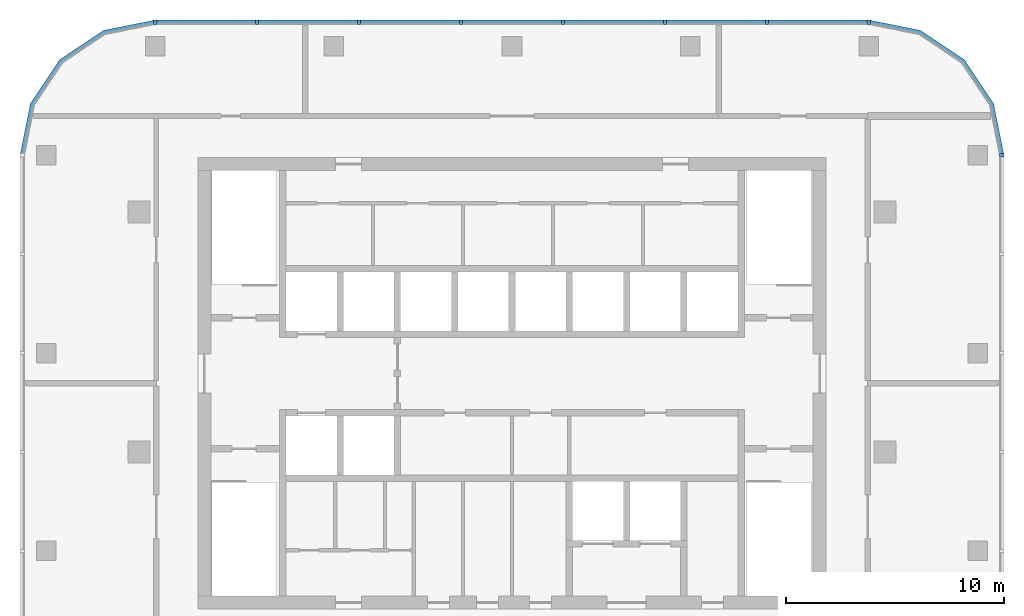
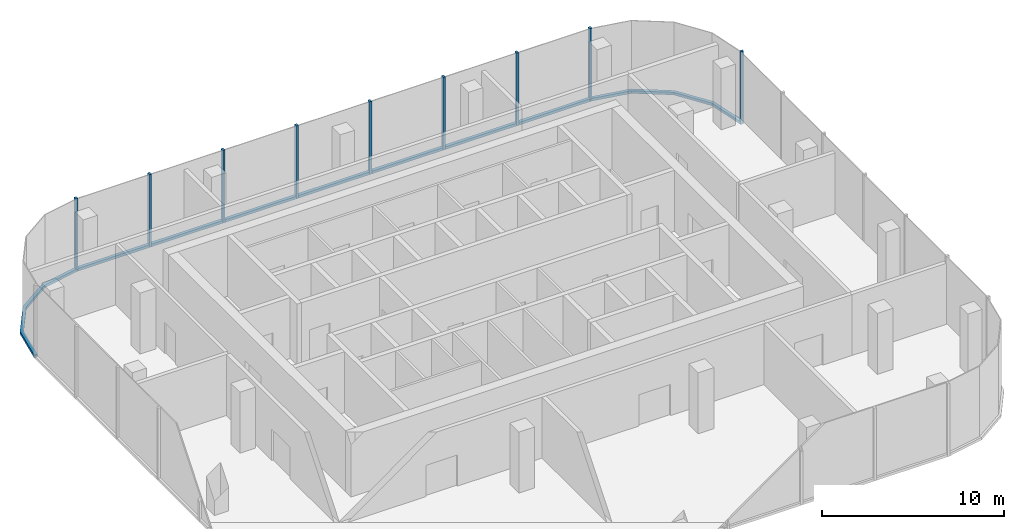
# One storey, part 2 of 6: 18 members, 4 elements without a shape of their own.
"""IFC4 building model written with IfcOpenShell, lengths in metres."""

from ifc_helpers import new_model, si_unit, direction, frame, origin, origin_2d, place, context, subcontext, project, spatial, polyline, rectangle, outline, extrude, material, material_profile, profile_set, type_object, element, aggregate, save


model = new_model("IFC4")

# Units and contexts
model_context = context("Model", 3, precision=1e-05, world=origin(), true_north=direction((0.0, 1.0)))
body_context = subcontext(model_context, "Body", "Model", "MODEL_VIEW")
ifc_project = project(units=[si_unit("LENGTHUNIT", "METRE"), si_unit("AREAUNIT", "SQUARE_METRE"), si_unit("VOLUMEUNIT", "CUBIC_METRE"), si_unit("PLANEANGLEUNIT", "RADIAN"), si_unit("MASSUNIT", "GRAM", prefix="KILO")], contexts=[model_context])

# Site, building, storey
site_placement = place(None, origin())
site = spatial("IfcSite", under=ifc_project, at=site_placement, CompositionType="ELEMENT")
building_placement = place(site_placement, origin())
building = spatial("IfcBuilding", under=site, at=building_placement, Name="Mopane Tessera Tower", CompositionType="ELEMENT")
storey_placement = place(building_placement, frame((0.0, 0.0, 357.39990234375)))
storey = spatial("IfcBuildingStorey", under=building, at=storey_placement, Name="Roof plant", CompositionType="ELEMENT", Elevation=357.39990234375)

# Curtain wall, member
ifc_material_1 = material(Name="Aluminium frame", Category="aluminium")
curtain_wall_type = type_object("IfcCurtainWallType", Name="Plant floor unitised wall", PredefinedType="NOTDEFINED", material=ifc_material_1)
curtain_wall_1_placement = place(storey_placement, origin())
curtain_wall_1 = element("IfcCurtainWall", 1, at=curtain_wall_1_placement, inside=storey, type_object=curtain_wall_type, Name="e:cw:Roof plant:E:0", PredefinedType="NOTDEFINED")
ifc_material_2 = material(Name="Aluminium frame", Category="aluminium")
ifc_material_profile_1 = material_profile(ifc_material_2, rectangle(XDim=0.139892578125, YDim=0.199951171875, at=origin_2d()))
ifc_profile_set_1 = profile_set([ifc_material_profile_1], Name="Aluminium frame")
member_type_1 = type_object("IfcMemberType", Name="Aluminium mullion 140 x 200", PredefinedType="MULLION", material=ifc_profile_set_1)
member_1_placement = place(storey_placement, frame((22.449951171875, 13.60009765625, -0.39990234375), z_axis=(0.0, 0.0, 1.0), x_axis=(0.0, 1.0, 0.0)))
member_1 = element("IfcMember", 2, at=member_1_placement, type_object=member_type_1, Name="e:cw:Roof plant:E:0:mu6", PredefinedType="MULLION", context=body_context, shape_type="SweptSolid", body=[
    extrude(rectangle(XDim=0.139892578125, YDim=0.199951171875, at=origin_2d()), origin(), (0.0, 0.0, 1.0), 4.89990234375),
])
aggregate(curtain_wall_1, [member_1])

# Curtain wall, members
curtain_wall_2_placement = place(storey_placement, origin())
curtain_wall_2 = element("IfcCurtainWall", 3, at=curtain_wall_2_placement, inside=storey, type_object=curtain_wall_type, Name="e:cw:Roof plant:N:0", PredefinedType="NOTDEFINED")
member_2_placement = place(storey_placement, frame((16.35009765625, 19.699951171875, -0.39990234375), z_axis=(0.0, 0.0, 1.0), x_axis=(-1.0, 0.0, 0.0)))
member_2 = element("IfcMember", 4, at=member_2_placement, type_object=member_type_1, Name="e:cw:Roof plant:N:0:mu0", PredefinedType="MULLION", context=body_context, shape_type="SweptSolid", body=[
    extrude(rectangle(XDim=0.139892578125, YDim=0.199951171875, at=origin_2d()), origin(), (0.0, 0.0, 1.0), 4.89990234375),
])
member_3_placement = place(storey_placement, frame((11.678466796875, 19.699951171875, -0.39990234375), z_axis=(0.0, 0.0, 1.0), x_axis=(-1.0, 0.0, 0.0)))
member_3 = element("IfcMember", 5, at=member_3_placement, type_object=member_type_1, Name="e:cw:Roof plant:N:0:mu1", PredefinedType="MULLION", context=body_context, shape_type="SweptSolid", body=[
    extrude(rectangle(XDim=0.139892578125, YDim=0.199951171875, at=origin_2d()), origin(), (0.0, 0.0, 1.0), 4.89990234375),
])
member_4_placement = place(storey_placement, frame((7.007080078125, 19.699951171875, -0.39990234375), z_axis=(0.0, 0.0, 1.0), x_axis=(-1.0, 0.0, 0.0)))
member_4 = element("IfcMember", 6, at=member_4_placement, type_object=member_type_1, Name="e:cw:Roof plant:N:0:mu2", PredefinedType="MULLION", context=body_context, shape_type="SweptSolid", body=[
    extrude(rectangle(XDim=0.139892578125, YDim=0.199951171875, at=origin_2d()), origin(), (0.0, 0.0, 1.0), 4.89990234375),
])
member_5_placement = place(storey_placement, frame((2.335693359375, 19.699951171875, -0.39990234375), z_axis=(0.0, 0.0, 1.0), x_axis=(-1.0, 0.0, 0.0)))
member_5 = element("IfcMember", 7, at=member_5_placement, type_object=member_type_1, Name="e:cw:Roof plant:N:0:mu3", PredefinedType="MULLION", context=body_context, shape_type="SweptSolid", body=[
    extrude(rectangle(XDim=0.139892578125, YDim=0.199951171875, at=origin_2d()), origin(), (0.0, 0.0, 1.0), 4.89990234375),
])
member_6_placement = place(storey_placement, frame((-2.335693359375, 19.699951171875, -0.39990234375), z_axis=(0.0, 0.0, 1.0), x_axis=(-1.0, 0.0, 0.0)))
member_6 = element("IfcMember", 8, at=member_6_placement, type_object=member_type_1, Name="e:cw:Roof plant:N:0:mu4", PredefinedType="MULLION", context=body_context, shape_type="SweptSolid", body=[
    extrude(rectangle(XDim=0.139892578125, YDim=0.199951171875, at=origin_2d()), origin(), (0.0, 0.0, 1.0), 4.89990234375),
])
member_7_placement = place(storey_placement, frame((-7.007080078125, 19.699951171875, -0.39990234375), z_axis=(0.0, 0.0, 1.0), x_axis=(-1.0, 0.0, 0.0)))
member_7 = element("IfcMember", 9, at=member_7_placement, type_object=member_type_1, Name="e:cw:Roof plant:N:0:mu5", PredefinedType="MULLION", context=body_context, shape_type="SweptSolid", body=[
    extrude(rectangle(XDim=0.139892578125, YDim=0.199951171875, at=origin_2d()), origin(), (0.0, 0.0, 1.0), 4.89990234375),
])
member_8_placement = place(storey_placement, frame((-11.678466796875, 19.699951171875, -0.39990234375), z_axis=(0.0, 0.0, 1.0), x_axis=(-1.0, 0.0, 0.0)))
member_8 = element("IfcMember", 10, at=member_8_placement, type_object=member_type_1, Name="e:cw:Roof plant:N:0:mu6", PredefinedType="MULLION", context=body_context, shape_type="SweptSolid", body=[
    extrude(rectangle(XDim=0.139892578125, YDim=0.199951171875, at=origin_2d()), origin(), (0.0, 0.0, 1.0), 4.89990234375),
])
member_9_placement = place(storey_placement, frame((-16.35009765625, 19.699951171875, -0.39990234375), z_axis=(0.0, 0.0, 1.0), x_axis=(-1.0, 0.0, 0.0)))
member_9 = element("IfcMember", 11, at=member_9_placement, type_object=member_type_1, Name="e:cw:Roof plant:N:0:mu7", PredefinedType="MULLION", context=body_context, shape_type="SweptSolid", body=[
    extrude(rectangle(XDim=0.139892578125, YDim=0.199951171875, at=origin_2d()), origin(), (0.0, 0.0, 1.0), 4.89990234375),
])

# Curtain wall, member
curtain_wall_3_placement = place(storey_placement, origin())
curtain_wall_3 = element("IfcCurtainWall", 12, at=curtain_wall_3_placement, inside=storey, type_object=curtain_wall_type, Name="e:cw:Roof plant:CE", PredefinedType="NOTDEFINED")
ifc_material_3 = material(Name="Aluminium frame", Category="aluminium")
ifc_material_profile_2 = material_profile(ifc_material_3, rectangle(XDim=0.199951171875, YDim=0.179931640625, at=origin_2d()))
ifc_profile_set_2 = profile_set([ifc_material_profile_2], Name="Aluminium frame")
member_type_2 = type_object("IfcMemberType", Name="Aluminium transom 200 x 180", PredefinedType="USERDEFINED", material=ifc_profile_set_2)
member_10_placement = place(storey_placement, frame((0.0, 0.0, -0.39990234375)))
member_10 = element("IfcMember", 13, at=member_10_placement, type_object=member_type_2, Name="e:cw:Roof plant:CE:tr", ObjectType="TRANSOM", PredefinedType="USERDEFINED", context=body_context, shape_type="SweptSolid", body=[
    extrude(outline(polyline([(22.35009765625, 13.60009765625), (21.893310546875, 15.89599609375), (20.592529296875, 17.842529296875), (18.64599609375, 19.143310546875), (16.35009765625, 19.60009765625), (16.35009765625, 19.800048828125), (18.72265625, 19.328125), (20.734130859375, 17.984130859375), (22.078125, 15.97265625), (22.550048828125, 13.60009765625), (22.35009765625, 13.60009765625)])), origin(), (0.0, 0.0, 1.0), 0.179931640625),
])
aggregate(curtain_wall_3, [member_10])

# Member
member_11_placement = place(storey_placement, frame((16.280029296875, 19.699951171875, -0.309814453125), z_axis=(-1.0, 0.0, 0.0), x_axis=(0.0, -1.0, 0.0)))
member_11 = element("IfcMember", 14, at=member_11_placement, type_object=member_type_2, Name="e:cw:Roof plant:N:0:tr0", ObjectType="TRANSOM", PredefinedType="USERDEFINED", context=body_context, shape_type="SweptSolid", body=[
    extrude(rectangle(XDim=0.199951171875, YDim=0.179931640625, at=origin_2d()), origin(), (0.0, 0.0, 1.0), 4.531494140625),
])

member_12_placement = place(storey_placement, frame((11.608642578125, 19.699951171875, -0.309814453125), z_axis=(-1.0, 0.0, 0.0), x_axis=(0.0, -1.0, 0.0)))
member_12 = element("IfcMember", 15, at=member_12_placement, type_object=member_type_2, Name="e:cw:Roof plant:N:0:tr1", ObjectType="TRANSOM", PredefinedType="USERDEFINED", context=body_context, shape_type="SweptSolid", body=[
    extrude(rectangle(XDim=0.199951171875, YDim=0.179931640625, at=origin_2d()), origin(), (0.0, 0.0, 1.0), 4.531494140625),
])

member_13_placement = place(storey_placement, frame((6.937255859375, 19.699951171875, -0.309814453125), z_axis=(-1.0, 0.0, 0.0), x_axis=(0.0, -1.0, 0.0)))
member_13 = element("IfcMember", 16, at=member_13_placement, type_object=member_type_2, Name="e:cw:Roof plant:N:0:tr2", ObjectType="TRANSOM", PredefinedType="USERDEFINED", context=body_context, shape_type="SweptSolid", body=[
    extrude(rectangle(XDim=0.199951171875, YDim=0.179931640625, at=origin_2d()), origin(), (0.0, 0.0, 1.0), 4.531494140625),
])

member_14_placement = place(storey_placement, frame((2.265625, 19.699951171875, -0.309814453125), z_axis=(-1.0, 0.0, 0.0), x_axis=(0.0, -1.0, 0.0)))
member_14 = element("IfcMember", 17, at=member_14_placement, type_object=member_type_2, Name="e:cw:Roof plant:N:0:tr3", ObjectType="TRANSOM", PredefinedType="USERDEFINED", context=body_context, shape_type="SweptSolid", body=[
    extrude(rectangle(XDim=0.199951171875, YDim=0.179931640625, at=origin_2d()), origin(), (0.0, 0.0, 1.0), 4.53125),
])

member_15_placement = place(storey_placement, frame((-2.40576171875, 19.699951171875, -0.309814453125), z_axis=(-1.0, 0.0, 0.0), x_axis=(0.0, -1.0, 0.0)))
member_15 = element("IfcMember", 18, at=member_15_placement, type_object=member_type_2, Name="e:cw:Roof plant:N:0:tr4", ObjectType="TRANSOM", PredefinedType="USERDEFINED", context=body_context, shape_type="SweptSolid", body=[
    extrude(rectangle(XDim=0.199951171875, YDim=0.179931640625, at=origin_2d()), origin(), (0.0, 0.0, 1.0), 4.531494140625),
])

member_16_placement = place(storey_placement, frame((-7.0771484375, 19.699951171875, -0.309814453125), z_axis=(-1.0, 0.0, 0.0), x_axis=(0.0, -1.0, 0.0)))
member_16 = element("IfcMember", 19, at=member_16_placement, type_object=member_type_2, Name="e:cw:Roof plant:N:0:tr5", ObjectType="TRANSOM", PredefinedType="USERDEFINED", context=body_context, shape_type="SweptSolid", body=[
    extrude(rectangle(XDim=0.199951171875, YDim=0.179931640625, at=origin_2d()), origin(), (0.0, 0.0, 1.0), 4.531494140625),
])

member_17_placement = place(storey_placement, frame((-11.74853515625, 19.699951171875, -0.309814453125), z_axis=(-1.0, 0.0, 0.0), x_axis=(0.0, -1.0, 0.0)))
member_17 = element("IfcMember", 20, at=member_17_placement, type_object=member_type_2, Name="e:cw:Roof plant:N:0:tr6", ObjectType="TRANSOM", PredefinedType="USERDEFINED", context=body_context, shape_type="SweptSolid", body=[
    extrude(rectangle(XDim=0.199951171875, YDim=0.179931640625, at=origin_2d()), origin(), (0.0, 0.0, 1.0), 4.531494140625),
])

aggregate(curtain_wall_2, [member_2, member_3, member_4, member_5, member_6, member_7, member_8, member_9, member_11, member_12, member_13, member_14, member_15, member_16, member_17])

# Curtain wall, member
curtain_wall_4_placement = place(storey_placement, origin())
curtain_wall_4 = element("IfcCurtainWall", 21, at=curtain_wall_4_placement, inside=storey, type_object=curtain_wall_type, Name="e:cw:Roof plant:CN", PredefinedType="NOTDEFINED")
member_18_placement = place(storey_placement, frame((0.0, 0.0, -0.39990234375)))
member_18 = element("IfcMember", 22, at=member_18_placement, type_object=member_type_2, Name="e:cw:Roof plant:CN:tr", ObjectType="TRANSOM", PredefinedType="USERDEFINED", context=body_context, shape_type="SweptSolid", body=[
    extrude(outline(polyline([(-16.35009765625, 19.60009765625), (-18.64599609375, 19.143310546875), (-20.592529296875, 17.842529296875), (-21.893310546875, 15.89599609375), (-22.35009765625, 13.60009765625), (-22.550048828125, 13.60009765625), (-22.078125, 15.97265625), (-20.734130859375, 17.984130859375), (-18.72265625, 19.328125), (-16.35009765625, 19.800048828125), (-16.35009765625, 19.60009765625)])), origin(), (0.0, 0.0, 1.0), 0.179931640625),
])
aggregate(curtain_wall_4, [member_18])

save(model, "model.ifc")
